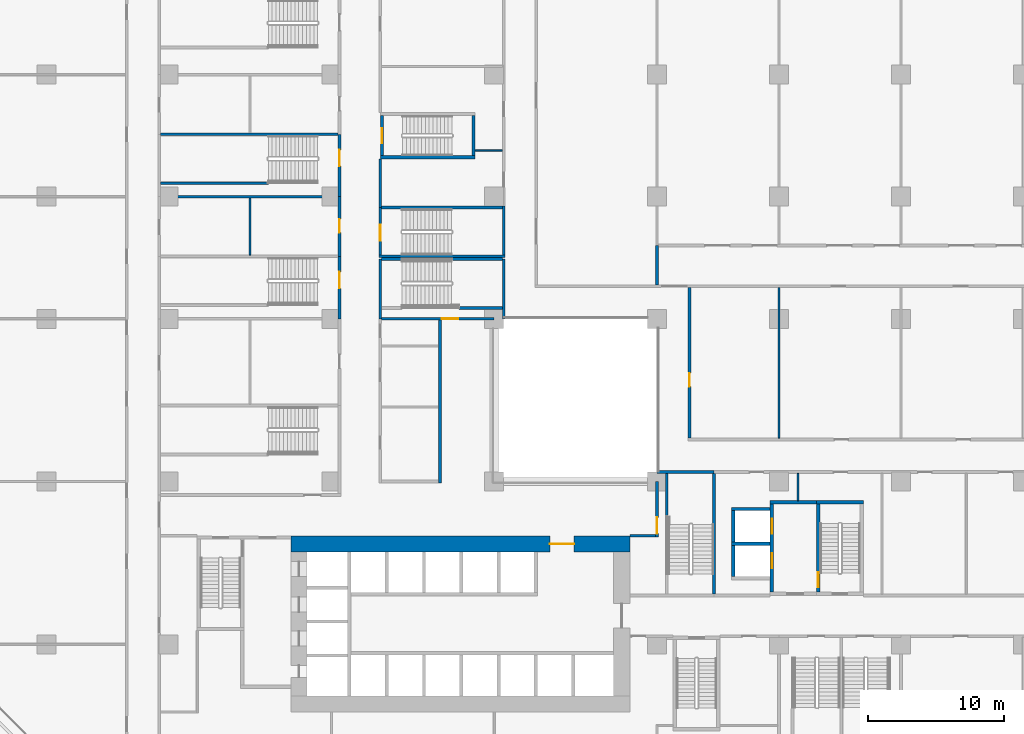
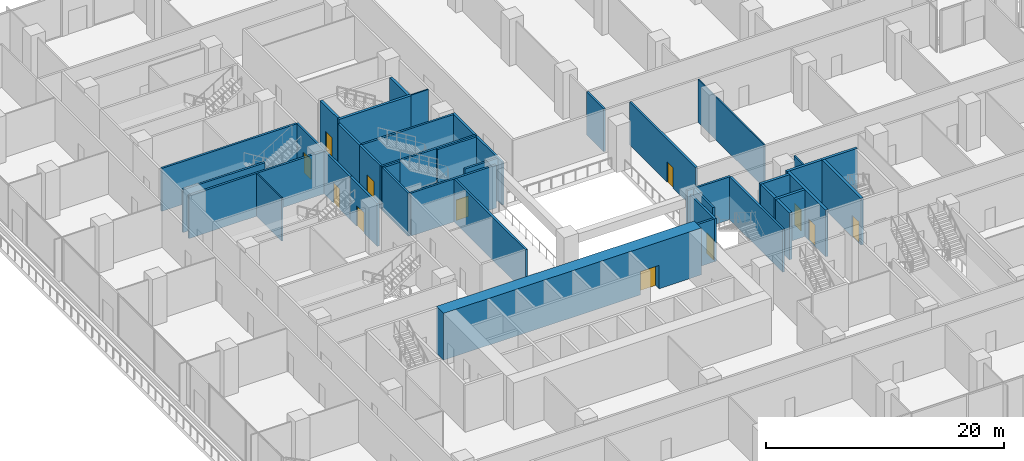
# One storey, part 18 of 31: 41 walls, 12 doors, 12 openings.
"""IFC4 building model written with IfcOpenShell, lengths in metres."""

from ifc_helpers import new_model, si_unit, direction, frame, frame_2d, origin, place, context, subcontext, project, spatial, rectangle, extrude, material, layer, layer_set, type_object, element, fill, save


model = new_model("IFC4")

# Units and contexts
model_context = context("Model", 3, precision=1e-05, world=origin(), true_north=direction((0.0, 1.0)))
body_context = subcontext(model_context, "Body", "Model", "MODEL_VIEW")
ifc_project = project(units=[si_unit("LENGTHUNIT", "METRE"), si_unit("AREAUNIT", "SQUARE_METRE"), si_unit("VOLUMEUNIT", "CUBIC_METRE"), si_unit("PLANEANGLEUNIT", "RADIAN"), si_unit("MASSUNIT", "GRAM", prefix="KILO")], contexts=[model_context])

# Site, building, storey
site_placement = place(None, origin())
site = spatial("IfcSite", under=ifc_project, at=site_placement, CompositionType="ELEMENT")
building_placement = place(site_placement, origin())
building = spatial("IfcBuilding", under=site, at=building_placement, Name="Chenar Terraces", CompositionType="ELEMENT")
storey_placement = place(building_placement, frame((0.0, 0.0, 7.199951171875)))
storey = spatial("IfcBuildingStorey", under=building, at=storey_placement, Name="L01", CompositionType="ELEMENT", Elevation=7.199951171875)

# Walls
ifc_material_1 = material(Name="Gypsum board on steel studs with mineral wool", Category="steel")
ifc_layer_1 = layer(ifc_material_1, 0.125)
ifc_layer_set_1 = layer_set([ifc_layer_1], Name="Gypsum board on steel studs with mineral wool")
wall_type_1 = type_object("IfcWallType", Name="Acoustic partition 125", PredefinedType="PARTITIONING", material=ifc_layer_set_1)
wall_1_placement = place(storey_placement, frame((6.0, 40.699951171875, 0.0), z_axis=(0.0, 0.0, 1.0), x_axis=(0.0, 1.0, 0.0)))
element("IfcWall", 1, at=wall_1_placement, inside=storey, type_object=wall_type_1, Name="Partition L01-037", PredefinedType="PARTITIONING", context=body_context, shape_type="SweptSolid", body=[
    extrude(rectangle(XDim=4.199951171875, YDim=0.125, at=frame_2d((2.10009765625, 0.0))), origin(), (0.0, 0.0, 1.0), 4.400146484375),
])
wall_2_placement = place(storey_placement, frame((22.60009765625, 48.39990234375, 0.0), z_axis=(0.0, 0.0, 1.0), x_axis=(1.0, 0.0, 0.0)))
element("IfcWall", 2, at=wall_2_placement, inside=storey, type_object=wall_type_1, Name="Partition L01-066", PredefinedType="PARTITIONING", context=body_context, shape_type="SweptSolid", body=[
    extrude(rectangle(XDim=2.0, YDim=0.125, at=frame_2d((1.0, 0.0))), origin(), (0.0, 0.0, 1.0), 4.400146484375),
])
wall_3_placement = place(storey_placement, frame((45.0, 27.199951171875, 0.0), z_axis=(0.0, 0.0, 1.0), x_axis=(0.0, 1.0, 0.0)))
element("IfcWall", 3, at=wall_3_placement, inside=storey, type_object=wall_type_1, Name="Partition L01-098", PredefinedType="PARTITIONING", context=body_context, shape_type="SweptSolid", body=[
    extrude(rectangle(XDim=11.10009765625, YDim=0.125, at=frame_2d((5.550048828125, 0.0))), origin(), (0.0, 0.0, 1.0), 4.400146484375),
])
wall_4_placement = place(storey_placement, frame((46.39990234375, 22.60009765625, 0.0), z_axis=(0.0, 0.0, 1.0), x_axis=(0.0, 1.0, 0.0)))
element("IfcWall", 4, at=wall_4_placement, inside=storey, type_object=wall_type_1, Name="Partition L01-100", PredefinedType="PARTITIONING", context=body_context, shape_type="SweptSolid", body=[
    extrude(rectangle(XDim=2.0, YDim=0.125, at=frame_2d((1.0, 0.0))), origin(), (0.0, 0.0, 1.0), 4.400146484375),
])

# Wall, opening, door
ifc_material_2 = material(Name="Concrete C70/85", Category="concrete")
ifc_layer_2 = layer(ifc_material_2, 1.199951171875)
ifc_layer_set_2 = layer_set([ifc_layer_2], Name="Concrete C70/85")
wall_type_2 = type_object("IfcWallType", Name="Core wall 1200 Concrete C70/85", PredefinedType="SHEAR", material=ifc_layer_set_2)
wall_5_placement = place(storey_placement, frame((9.0, 19.39990234375, 0.0), z_axis=(0.0, 0.0, 1.0), x_axis=(1.0, 0.0, 0.0)))
wall_5 = element("IfcWall", 5, at=wall_5_placement, inside=storey, type_object=wall_type_2, Name="Core wall N L01", PredefinedType="SHEAR", context=body_context, shape_type="SweptSolid", body=[
    extrude(rectangle(XDim=25.0, YDim=1.199951171875, at=frame_2d((12.5, 0.0))), origin(), (0.0, 0.0, 1.0), 4.800048828125),
])
opening_1_placement = place(wall_5_placement, frame((19.10009765625, 0.0, 0.0)))
opening_1 = element("IfcOpeningElement", 6, at=opening_1_placement, cuts=wall_5, Name="Opening DL01-C2", PredefinedType="OPENING", context=body_context, shape_type="SweptSolid", body=[
    extrude(rectangle(XDim=1.800048828125, YDim=2.39990234375, at=frame_2d((0.89990234375, 1.199951171875))), frame((0.0, 0.60986328125, 0.0), z_axis=(0.0, -1.0, 0.0), x_axis=(1.0, 0.0, 0.0)), (0.0, 0.0, 1.0), 1.219970703125),
])
ifc_material_3 = material(Name="Steel-framed fire-resisting door leaf", Category="steel")
door_type_1 = type_object("IfcDoorType", Name="Core entrance double fire door FD60 1800 x 2400", OperationType="DOUBLE_DOOR_SINGLE_SWING", PredefinedType="DOOR", material=ifc_material_3)
door_1_placement = place(opening_1_placement, frame((1.800048828125, 0.0, 0.0), z_axis=(0.0, 0.0, 1.0), x_axis=(-1.0, 0.0, 0.0)))
door_1 = element("IfcDoor", 7, at=door_1_placement, inside=storey, type_object=door_type_1, Name="Core door DL01-C2", OperationType="DOUBLE_DOOR_SINGLE_SWING", OverallHeight=2.39990234375, OverallWidth=1.800048828125, PredefinedType="DOOR", context=body_context, shape_type="SweptSolid", body=[
    extrude(rectangle(XDim=1.800048828125, YDim=2.39990234375, at=frame_2d((0.89990234375, 1.199951171875))), frame((0.0, 0.02490234375, 0.0), z_axis=(0.0, -1.0, 0.0), x_axis=(1.0, 0.0, 0.0)), (0.0, 0.0, 1.0), 0.050048828125),
])
fill(opening_1, door_1)

# Wall
ifc_material_4 = material(Name="Concrete C70/85", Category="concrete")
ifc_layer_3 = layer(ifc_material_4, 0.25)
ifc_layer_set_3 = layer_set([ifc_layer_3], Name="Concrete C70/85")
wall_type_3 = type_object("IfcWallType", Name="Core wall 250 Concrete C70/85", PredefinedType="SHEAR", material=ifc_layer_set_3)
wall_6_placement = place(storey_placement, frame((47.77490234375, 22.47509765625, 0.0), z_axis=(0.0, 0.0, 1.0), x_axis=(1.0, 0.0, 0.0)))
element("IfcWall", 8, at=wall_6_placement, inside=storey, type_object=wall_type_3, Name="Core wall ST3_N L01", PredefinedType="SHEAR", context=body_context, shape_type="SweptSolid", body=[
    extrude(rectangle(XDim=3.4501953125, YDim=0.25, at=frame_2d((1.72509765625, 0.0))), origin(), (0.0, 0.0, 1.0), 4.800048828125),
])

# Wall, opening, door
wall_7_placement = place(storey_placement, frame((47.89990234375, 15.85009765625, 0.0), z_axis=(0.0, 0.0, 1.0), x_axis=(0.0, 1.0, 0.0)))
wall_7 = element("IfcWall", 9, at=wall_7_placement, inside=storey, type_object=wall_type_3, Name="Core wall ST3_W L01", PredefinedType="SHEAR", context=body_context, shape_type="SweptSolid", body=[
    extrude(rectangle(XDim=6.5, YDim=0.25, at=frame_2d((3.25, 0.0))), origin(), (0.0, 0.0, 1.0), 4.800048828125),
])
opening_2_placement = place(wall_7_placement, frame((0.35009765625, 0.0, 0.0)))
opening_2 = element("IfcOpeningElement", 10, at=opening_2_placement, cuts=wall_7, Name="Opening DL01-C11", PredefinedType="OPENING", context=body_context, shape_type="SweptSolid", body=[
    extrude(rectangle(XDim=1.10009765625, YDim=2.199951171875, at=frame_2d((0.550048828125, 1.10009765625))), frame((0.0, 0.135009765625, 0.0), z_axis=(0.0, -1.0, 0.0), x_axis=(1.0, 0.0, 0.0)), (0.0, 0.0, 1.0), 0.27001953125),
])
ifc_material_5 = material(Name="Steel-framed fire-resisting door leaf", Category="steel")
door_type_2 = type_object("IfcDoorType", Name="Stair fire door FD60 1100 x 2200", OperationType="SINGLE_SWING_LEFT", PredefinedType="DOOR", material=ifc_material_5)
door_2_placement = place(opening_2_placement, frame((1.10009765625, 0.0, 0.0), z_axis=(0.0, 0.0, 1.0), x_axis=(-1.0, 0.0, 0.0)))
door_2 = element("IfcDoor", 11, at=door_2_placement, inside=storey, type_object=door_type_2, Name="Stair door DL01-C11", OperationType="SINGLE_SWING_RIGHT", OverallHeight=2.199951171875, OverallWidth=1.10009765625, PredefinedType="DOOR", context=body_context, shape_type="SweptSolid", body=[
    extrude(rectangle(XDim=1.10009765625, YDim=2.199951171875, at=frame_2d((0.550048828125, 1.10009765625))), frame((0.0, 0.02490234375, 0.0), z_axis=(0.0, -1.0, 0.0), x_axis=(1.0, 0.0, 0.0)), (0.0, 0.0, 1.0), 0.050048828125),
])
fill(opening_2, door_2)

# Wall
wall_8_placement = place(storey_placement, frame((15.60009765625, 47.89990234375, 0.0), z_axis=(0.0, 0.0, 1.0), x_axis=(1.0, 0.0, 0.0)))
element("IfcWall", 12, at=wall_8_placement, inside=storey, type_object=wall_type_3, Name="Core wall ST4_S L01", PredefinedType="SHEAR", context=body_context, shape_type="SweptSolid", body=[
    extrude(rectangle(XDim=7.0, YDim=0.25, at=frame_2d((3.5, 0.0))), origin(), (0.0, 0.0, 1.0), 4.800048828125),
])

# Wall, opening, door
wall_9_placement = place(storey_placement, frame((15.72509765625, 48.02490234375, 0.0), z_axis=(0.0, 0.0, 1.0), x_axis=(0.0, 1.0, 0.0)))
wall_9 = element("IfcWall", 13, at=wall_9_placement, inside=storey, type_object=wall_type_3, Name="Core wall ST4_W L01", PredefinedType="SHEAR", context=body_context, shape_type="SweptSolid", body=[
    extrude(rectangle(XDim=2.9501953125, YDim=0.25, at=frame_2d((1.47509765625, 0.0))), origin(), (0.0, 0.0, 1.0), 4.800048828125),
])
opening_3_placement = place(wall_9_placement, frame((0.925048828125, 0.0, 0.0)))
opening_3 = element("IfcOpeningElement", 14, at=opening_3_placement, cuts=wall_9, Name="Opening DL01-C9", PredefinedType="OPENING", context=body_context, shape_type="SweptSolid", body=[
    extrude(rectangle(XDim=1.10009765625, YDim=2.199951171875, at=frame_2d((0.550048828125, 1.10009765625))), frame((0.0, 0.135009765625, 0.0), z_axis=(0.0, -1.0, 0.0), x_axis=(1.0, 0.0, 0.0)), (0.0, 0.0, 1.0), 0.27001953125),
])
door_3_placement = place(opening_3_placement, frame((1.10009765625, 0.0, 0.0), z_axis=(0.0, 0.0, 1.0), x_axis=(-1.0, 0.0, 0.0)))
door_3 = element("IfcDoor", 15, at=door_3_placement, inside=storey, type_object=door_type_2, Name="Stair door DL01-C9", OperationType="SINGLE_SWING_RIGHT", OverallHeight=2.199951171875, OverallWidth=1.10009765625, PredefinedType="DOOR", context=body_context, shape_type="SweptSolid", body=[
    extrude(rectangle(XDim=1.10009765625, YDim=2.199951171875, at=frame_2d((0.550048828125, 1.10009765625))), frame((0.0, 0.02490234375, 0.0), z_axis=(0.0, -1.0, 0.0), x_axis=(1.0, 0.0, 0.0)), (0.0, 0.0, 1.0), 0.050048828125),
])
fill(opening_3, door_3)

# Walls
wall_10_placement = place(storey_placement, frame((22.47509765625, 48.02490234375, 0.0), z_axis=(0.0, 0.0, 1.0), x_axis=(0.0, 1.0, 0.0)))
element("IfcWall", 16, at=wall_10_placement, inside=storey, type_object=wall_type_3, Name="Core wall ST4_E L01", PredefinedType="SHEAR", context=body_context, shape_type="SweptSolid", body=[
    extrude(rectangle(XDim=2.9501953125, YDim=0.25, at=frame_2d((1.47509765625, 0.0))), origin(), (0.0, 0.0, 1.0), 4.800048828125),
])
wall_11_placement = place(storey_placement, frame((44.35009765625, 22.47509765625, 0.0), z_axis=(0.0, 0.0, 1.0), x_axis=(1.0, 0.0, 0.0)))
element("IfcWall", 17, at=wall_11_placement, inside=storey, type_object=wall_type_3, Name="Core wall F3_LN L01", PredefinedType="SHEAR", context=body_context, shape_type="SweptSolid", body=[
    extrude(rectangle(XDim=3.4248046875, YDim=0.25, at=frame_2d((1.71240234375, 0.0))), origin(), (0.0, 0.0, 1.0), 4.800048828125),
])

# Wall, openings, doors
wall_12_placement = place(storey_placement, frame((44.47509765625, 15.85009765625, 0.0), z_axis=(0.0, 0.0, 1.0), x_axis=(0.0, 1.0, 0.0)))
wall_12 = element("IfcWall", 18, at=wall_12_placement, inside=storey, type_object=wall_type_3, Name="Core wall F3_LW L01", PredefinedType="SHEAR", context=body_context, shape_type="SweptSolid", body=[
    extrude(rectangle(XDim=6.5, YDim=0.25, at=frame_2d((3.25, 0.0))), origin(), (0.0, 0.0, 1.0), 4.800048828125),
])
opening_4_placement = place(wall_12_placement, frame((1.75, 0.0, 0.0)))
opening_4 = element("IfcOpeningElement", 19, at=opening_4_placement, cuts=wall_12, Name="Opening DL01-LD4", PredefinedType="OPENING", context=body_context, shape_type="SweptSolid", body=[
    extrude(rectangle(XDim=1.10009765625, YDim=2.199951171875, at=frame_2d((0.550048828125, 1.10009765625))), frame((0.0, 0.135009765625, 0.0), z_axis=(0.0, -1.0, 0.0), x_axis=(1.0, 0.0, 0.0)), (0.0, 0.0, 1.0), 0.27001953125),
])
opening_5_placement = place(wall_12_placement, frame((4.300048828125, 0.0, 0.0)))
opening_5 = element("IfcOpeningElement", 20, at=opening_5_placement, cuts=wall_12, Name="Opening DL01-LD5", PredefinedType="OPENING", context=body_context, shape_type="SweptSolid", body=[
    extrude(rectangle(XDim=1.10009765625, YDim=2.199951171875, at=frame_2d((0.550048828125, 1.10009765625))), frame((0.0, 0.135009765625, 0.0), z_axis=(0.0, -1.0, 0.0), x_axis=(1.0, 0.0, 0.0)), (0.0, 0.0, 1.0), 0.27001953125),
])
ifc_material_6 = material(Name="Stainless steel", Category="steel")
door_type_3 = type_object("IfcDoorType", Name="Lift landing door 1100 x 2200 sliding", OperationType="DOUBLE_DOOR_SLIDING", PredefinedType="DOOR", material=ifc_material_6)
door_4_placement = place(opening_4_placement, origin())
door_4 = element("IfcDoor", 21, at=door_4_placement, inside=storey, type_object=door_type_3, Name="Landing door F3", OperationType="DOUBLE_DOOR_SLIDING", OverallHeight=2.199951171875, OverallWidth=1.10009765625, PredefinedType="DOOR", context=body_context, shape_type="SweptSolid", body=[
    extrude(rectangle(XDim=1.10009765625, YDim=2.199951171875, at=frame_2d((0.550048828125, 1.10009765625))), frame((0.0, 0.02490234375, 0.0), z_axis=(0.0, -1.0, 0.0), x_axis=(1.0, 0.0, 0.0)), (0.0, 0.0, 1.0), 0.050048828125),
])
fill(opening_4, door_4)
door_5_placement = place(opening_5_placement, origin())
door_5 = element("IfcDoor", 22, at=door_5_placement, inside=storey, type_object=door_type_3, Name="Landing door F4", OperationType="DOUBLE_DOOR_SLIDING", OverallHeight=2.199951171875, OverallWidth=1.10009765625, PredefinedType="DOOR", context=body_context, shape_type="SweptSolid", body=[
    extrude(rectangle(XDim=1.10009765625, YDim=2.199951171875, at=frame_2d((0.550048828125, 1.10009765625))), frame((0.0, 0.02490234375, 0.0), z_axis=(0.0, -1.0, 0.0), x_axis=(1.0, 0.0, 0.0)), (0.0, 0.0, 1.0), 0.050048828125),
])
fill(opening_5, door_5)

# Walls
for number, where, z_axis, x_axis, name in (
    (23, (41.5, 19.425048828125, 0.0), (0.0, 0.0, 1.0), (1.0, 0.0, 0.0), "Core wall F3_SM L01"),
    (24, (41.5, 21.97509765625, 0.0), (0.0, 0.0, 1.0), (1.0, 0.0, 0.0), "Core wall F4_SN L01"),
):
    element("IfcWall", number, at=place(storey_placement, frame(where, z_axis=z_axis, x_axis=x_axis)), inside=storey, type_object=wall_type_3, Name=name, PredefinedType="SHEAR", context=body_context, shape_type="SweptSolid", body=[
        extrude(rectangle(XDim=2.85009765625, YDim=0.25, at=frame_2d((1.425048828125, 0.0))), origin(), (0.0, 0.0, 1.0), 4.800048828125),
    ])
for number, where, z_axis, x_axis, name in (
    (25, (41.625, 17.0, 0.0), (0.0, 0.0, 1.0), (0.0, 1.0, 0.0), "Core wall F3_SW L01"),
    (26, (41.625, 19.550048828125, 0.0), (0.0, 0.0, 1.0), (0.0, 1.0, 0.0), "Core wall F4_SW L01"),
):
    element("IfcWall", number, at=place(storey_placement, frame(where, z_axis=z_axis, x_axis=x_axis)), inside=storey, type_object=wall_type_3, Name=name, PredefinedType="SHEAR", context=body_context, shape_type="SweptSolid", body=[
        extrude(rectangle(XDim=2.300048828125, YDim=0.25, at=frame_2d((1.14990234375, 0.0))), origin(), (0.0, 0.0, 1.0), 4.800048828125),
    ])

# Wall, opening, door
ifc_material_7 = material(Name="Gypsum board on steel studs with fire boards", Category="steel")
ifc_layer_4 = layer(ifc_material_7, 0.199951171875)
ifc_layer_set_4 = layer_set([ifc_layer_4], Name="Gypsum board on steel studs with fire boards")
wall_type_4 = type_object("IfcWallType", Name="Corridor wall 200", PredefinedType="PARTITIONING", material=ifc_layer_set_4)
wall_13_placement = place(storey_placement, frame((12.60009765625, 40.60009765625, 0.0), z_axis=(0.0, 0.0, 1.0), x_axis=(0.0, 1.0, 0.0)))
wall_13 = element("IfcWall", 27, at=wall_13_placement, inside=storey, type_object=wall_type_4, Name="Partition L01-046", PredefinedType="PARTITIONING", context=body_context, shape_type="SweptSolid", body=[
    extrude(rectangle(XDim=4.39990234375, YDim=0.199951171875, at=frame_2d((2.199951171875, 0.0))), origin(), (0.0, 0.0, 1.0), 4.400146484375),
])
opening_6_placement = place(wall_13_placement, frame((1.75, 0.0, 0.0)))
opening_6 = element("IfcOpeningElement", 28, at=opening_6_placement, cuts=wall_13, Name="Opening DL01-13", PredefinedType="OPENING", context=body_context, shape_type="SweptSolid", body=[
    extrude(rectangle(XDim=1.0, YDim=2.10009765625, at=frame_2d((0.5, 1.050048828125))), frame((0.0, 0.10986328125, 0.0), z_axis=(0.0, -1.0, 0.0), x_axis=(1.0, 0.0, 0.0)), (0.0, 0.0, 1.0), 0.219970703125),
])
ifc_material_8 = material(Name="Steel-framed fire-resisting door leaf", Category="steel")
door_type_4 = type_object("IfcDoorType", Name="Fire door FD60 1000 x 2100", OperationType="SINGLE_SWING_LEFT", PredefinedType="DOOR", material=ifc_material_8)
door_6_placement = place(opening_6_placement, origin())
door_6 = element("IfcDoor", 29, at=door_6_placement, inside=storey, type_object=door_type_4, Name="Door DL01-13", OperationType="SINGLE_SWING_RIGHT", OverallHeight=2.10009765625, OverallWidth=1.0, PredefinedType="DOOR", context=body_context, shape_type="SweptSolid", body=[
    extrude(rectangle(XDim=1.0, YDim=2.10009765625, at=frame_2d((0.5, 1.050048828125))), frame((0.0, 0.02490234375, 0.0), z_axis=(0.0, -1.0, 0.0), x_axis=(1.0, 0.0, 0.0)), (0.0, 0.0, 1.0), 0.050048828125),
])
fill(opening_6, door_6)

# Walls
wall_14_placement = place(storey_placement, frame((15.60009765625, 44.199951171875, 0.0), z_axis=(0.0, 0.0, 1.0), x_axis=(0.0, 1.0, 0.0)))
element("IfcWall", 30, at=wall_14_placement, inside=storey, type_object=wall_type_4, Name="Partition L01-055", PredefinedType="PARTITIONING", context=body_context, shape_type="SweptSolid", body=[
    extrude(rectangle(XDim=3.574951171875, YDim=0.199951171875, at=frame_2d((1.78759765625, 0.0))), origin(), (0.0, 0.0, 1.0), 4.400146484375),
])
wall_15_placement = place(storey_placement, frame((20.0, 23.89990234375, 0.0), z_axis=(0.0, 0.0, 1.0), x_axis=(0.0, 1.0, 0.0)))
element("IfcWall", 31, at=wall_15_placement, inside=storey, type_object=wall_type_4, Name="Partition L01-065", PredefinedType="PARTITIONING", context=body_context, shape_type="SweptSolid", body=[
    extrude(rectangle(XDim=12.0, YDim=0.199951171875, at=frame_2d((6.0, 0.0))), origin(), (0.0, 0.0, 1.0), 4.400146484375),
])
wall_16_placement = place(storey_placement, frame((36.0, 38.5, 0.0), z_axis=(0.0, 0.0, 1.0), x_axis=(0.0, 1.0, 0.0)))
element("IfcWall", 32, at=wall_16_placement, inside=storey, type_object=wall_type_4, Name="Partition L01-083", PredefinedType="PARTITIONING", context=body_context, shape_type="SweptSolid", body=[
    extrude(rectangle(XDim=2.89990234375, YDim=0.199951171875, at=frame_2d((1.449951171875, 0.0))), origin(), (0.0, 0.0, 1.0), 4.400146484375),
])

# Wall, opening, door
wall_17_placement = place(storey_placement, frame((38.39990234375, 27.199951171875, 0.0), z_axis=(0.0, 0.0, 1.0), x_axis=(0.0, 1.0, 0.0)))
wall_17 = element("IfcWall", 33, at=wall_17_placement, inside=storey, type_object=wall_type_4, Name="Partition L01-088", PredefinedType="PARTITIONING", context=body_context, shape_type="SweptSolid", body=[
    extrude(rectangle(XDim=11.10009765625, YDim=0.199951171875, at=frame_2d((5.550048828125, 0.0))), origin(), (0.0, 0.0, 1.0), 4.400146484375),
])
opening_7_placement = place(wall_17_placement, frame((3.800048828125, 0.0, 0.0)))
opening_7 = element("IfcOpeningElement", 34, at=opening_7_placement, cuts=wall_17, Name="Opening DL01-29", PredefinedType="OPENING", context=body_context, shape_type="SweptSolid", body=[
    extrude(rectangle(XDim=1.0, YDim=2.10009765625, at=frame_2d((0.5, 1.050048828125))), frame((0.0, 0.10986328125, 0.0), z_axis=(0.0, -1.0, 0.0), x_axis=(1.0, 0.0, 0.0)), (0.0, 0.0, 1.0), 0.219970703125),
])
door_7_placement = place(opening_7_placement, frame((1.0, 0.0, 0.0), z_axis=(0.0, 0.0, 1.0), x_axis=(-1.0, 0.0, 0.0)))
door_7 = element("IfcDoor", 35, at=door_7_placement, inside=storey, type_object=door_type_4, Name="Door DL01-29", OperationType="SINGLE_SWING_LEFT", OverallHeight=2.10009765625, OverallWidth=1.0, PredefinedType="DOOR", context=body_context, shape_type="SweptSolid", body=[
    extrude(rectangle(XDim=1.0, YDim=2.10009765625, at=frame_2d((0.5, 1.050048828125))), frame((0.0, 0.02490234375, 0.0), z_axis=(0.0, -1.0, 0.0), x_axis=(1.0, 0.0, 0.0)), (0.0, 0.0, 1.0), 0.050048828125),
])
fill(opening_7, door_7)

# Walls
ifc_material_9 = material(Name="Reinforced concrete C40/50", Category="concrete")
ifc_layer_5 = layer(ifc_material_9, 0.199951171875)
ifc_layer_set_5 = layer_set([ifc_layer_5], Name="Reinforced concrete C40/50")
wall_type_5 = type_object("IfcWallType", Name="Stair enclosure wall 200 concrete", PredefinedType="SOLIDWALL", material=ifc_layer_set_5)
for number, where, z_axis, x_axis, name in (
    (36, (-0.60009765625, 45.0, 0.0), (0.0, 0.0, 1.0), (1.0, 0.0, 0.0), "Stair enclosure wall L01-028"),
    (37, (-0.60009765625, 49.60009765625, 0.0), (0.0, 0.0, 1.0), (1.0, 0.0, 0.0), "Stair enclosure wall L01-029"),
):
    element("IfcWall", number, at=place(storey_placement, frame(where, z_axis=z_axis, x_axis=x_axis)), inside=storey, type_object=wall_type_5, Name=name, PredefinedType="SOLIDWALL", context=body_context, shape_type="SweptSolid", body=[
        extrude(rectangle(XDim=13.10009765625, YDim=0.199951171875, at=frame_2d((6.550048828125, 0.0))), origin(), (0.0, 0.0, 1.0), 4.400146484375),
    ])

# Wall, opening, door
wall_18_placement = place(storey_placement, frame((12.60009765625, 36.0, 0.0), z_axis=(0.0, 0.0, 1.0), x_axis=(0.0, 1.0, 0.0)))
wall_18 = element("IfcWall", 38, at=wall_18_placement, inside=storey, type_object=wall_type_5, Name="Stair enclosure wall L01-045", PredefinedType="SOLIDWALL", context=body_context, shape_type="SweptSolid", body=[
    extrude(rectangle(XDim=4.60009765625, YDim=0.199951171875, at=frame_2d((2.300048828125, 0.0))), origin(), (0.0, 0.0, 1.0), 4.400146484375),
])
opening_8_placement = place(wall_18_placement, frame((2.25, 0.0, 0.0)))
opening_8 = element("IfcOpeningElement", 39, at=opening_8_placement, cuts=wall_18, Name="Opening DL01-88", PredefinedType="OPENING", context=body_context, shape_type="SweptSolid", body=[
    extrude(rectangle(XDim=1.199951171875, YDim=2.10009765625, at=frame_2d((0.60009765625, 1.050048828125))), frame((0.0, 0.10986328125, 0.0), z_axis=(0.0, -1.0, 0.0), x_axis=(1.0, 0.0, 0.0)), (0.0, 0.0, 1.0), 0.219970703125),
])
ifc_material_10 = material(Name="Steel-framed fire-resisting door leaf", Category="steel")
door_type_5 = type_object("IfcDoorType", Name="Fire door FD120 1200 x 2100", OperationType="SINGLE_SWING_LEFT", PredefinedType="DOOR", material=ifc_material_10)
door_8_placement = place(opening_8_placement, origin())
door_8 = element("IfcDoor", 40, at=door_8_placement, inside=storey, type_object=door_type_5, Name="Door DL01-88", OperationType="SINGLE_SWING_RIGHT", OverallHeight=2.10009765625, OverallWidth=1.199951171875, PredefinedType="DOOR", context=body_context, shape_type="SweptSolid", body=[
    extrude(rectangle(XDim=1.199951171875, YDim=2.10009765625, at=frame_2d((0.60009765625, 1.050048828125))), frame((0.0, 0.02490234375, 0.0), z_axis=(0.0, -1.0, 0.0), x_axis=(1.0, 0.0, 0.0)), (0.0, 0.0, 1.0), 0.050048828125),
])
fill(opening_8, door_8)

wall_19_placement = place(storey_placement, frame((12.60009765625, 45.0, 0.0), z_axis=(0.0, 0.0, 1.0), x_axis=(0.0, 1.0, 0.0)))
wall_19 = element("IfcWall", 41, at=wall_19_placement, inside=storey, type_object=wall_type_5, Name="Stair enclosure wall L01-047", PredefinedType="SOLIDWALL", context=body_context, shape_type="SweptSolid", body=[
    extrude(rectangle(XDim=4.60009765625, YDim=0.199951171875, at=frame_2d((2.300048828125, 0.0))), origin(), (0.0, 0.0, 1.0), 4.400146484375),
])
opening_9_placement = place(wall_19_placement, frame((2.25, 0.0, 0.0)))
opening_9 = element("IfcOpeningElement", 42, at=opening_9_placement, cuts=wall_19, Name="Opening DL01-83", PredefinedType="OPENING", context=body_context, shape_type="SweptSolid", body=[
    extrude(rectangle(XDim=1.199951171875, YDim=2.10009765625, at=frame_2d((0.60009765625, 1.050048828125))), frame((0.0, 0.10986328125, 0.0), z_axis=(0.0, -1.0, 0.0), x_axis=(1.0, 0.0, 0.0)), (0.0, 0.0, 1.0), 0.219970703125),
])
door_9_placement = place(opening_9_placement, origin())
door_9 = element("IfcDoor", 43, at=door_9_placement, inside=storey, type_object=door_type_5, Name="Door DL01-83", OperationType="SINGLE_SWING_RIGHT", OverallHeight=2.10009765625, OverallWidth=1.199951171875, PredefinedType="DOOR", context=body_context, shape_type="SweptSolid", body=[
    extrude(rectangle(XDim=1.199951171875, YDim=2.10009765625, at=frame_2d((0.60009765625, 1.050048828125))), frame((0.0, 0.02490234375, 0.0), z_axis=(0.0, -1.0, 0.0), x_axis=(1.0, 0.0, 0.0)), (0.0, 0.0, 1.0), 0.050048828125),
])
fill(opening_9, door_9)

# Walls
wall_20_placement = place(storey_placement, frame((15.5, 40.60009765625, 0.0), z_axis=(0.0, 0.0, 1.0), x_axis=(1.0, 0.0, 0.0)))
element("IfcWall", 44, at=wall_20_placement, inside=storey, type_object=wall_type_5, Name="Stair enclosure wall L01-051", PredefinedType="SOLIDWALL", context=body_context, shape_type="SweptSolid", body=[
    extrude(rectangle(XDim=9.300048828125, YDim=0.199951171875, at=frame_2d((4.64990234375, 0.0))), origin(), (0.0, 0.0, 1.0), 4.400146484375),
])
wall_21_placement = place(storey_placement, frame((15.60009765625, 36.0, 0.0), z_axis=(0.0, 0.0, 1.0), x_axis=(0.0, 1.0, 0.0)))
element("IfcWall", 45, at=wall_21_placement, inside=storey, type_object=wall_type_5, Name="Stair enclosure wall L01-053", PredefinedType="SOLIDWALL", context=body_context, shape_type="SweptSolid", body=[
    extrude(rectangle(XDim=4.39990234375, YDim=0.199951171875, at=frame_2d((2.199951171875, 0.0))), origin(), (0.0, 0.0, 1.0), 4.400146484375),
])

# Wall, opening, door
wall_22_placement = place(storey_placement, frame((15.60009765625, 40.699951171875, 0.0), z_axis=(0.0, 0.0, 1.0), x_axis=(0.0, 1.0, 0.0)))
wall_22 = element("IfcWall", 46, at=wall_22_placement, inside=storey, type_object=wall_type_5, Name="Stair enclosure wall L01-054", PredefinedType="SOLIDWALL", context=body_context, shape_type="SweptSolid", body=[
    extrude(rectangle(XDim=3.5, YDim=0.199951171875, at=frame_2d((1.75, 0.0))), origin(), (0.0, 0.0, 1.0), 4.400146484375),
])
opening_10_placement = place(wall_22_placement, frame((1.050048828125, 0.0, 0.0)))
opening_10 = element("IfcOpeningElement", 47, at=opening_10_placement, cuts=wall_22, Name="Opening DL01-87", PredefinedType="OPENING", context=body_context, shape_type="SweptSolid", body=[
    extrude(rectangle(XDim=1.199951171875, YDim=2.10009765625, at=frame_2d((0.60009765625, 1.050048828125))), frame((0.0, 0.10986328125, 0.0), z_axis=(0.0, -1.0, 0.0), x_axis=(1.0, 0.0, 0.0)), (0.0, 0.0, 1.0), 0.219970703125),
])
door_10_placement = place(opening_10_placement, frame((1.199951171875, 0.0, 0.0), z_axis=(0.0, 0.0, 1.0), x_axis=(-1.0, 0.0, 0.0)))
door_10 = element("IfcDoor", 48, at=door_10_placement, inside=storey, type_object=door_type_5, Name="Door DL01-87", OperationType="SINGLE_SWING_RIGHT", OverallHeight=2.10009765625, OverallWidth=1.199951171875, PredefinedType="DOOR", context=body_context, shape_type="SweptSolid", body=[
    extrude(rectangle(XDim=1.199951171875, YDim=2.10009765625, at=frame_2d((0.60009765625, 1.050048828125))), frame((0.0, 0.02490234375, 0.0), z_axis=(0.0, -1.0, 0.0), x_axis=(1.0, 0.0, 0.0)), (0.0, 0.0, 1.0), 0.050048828125),
])
fill(opening_10, door_10)

wall_23_placement = place(storey_placement, frame((15.699951171875, 36.0, 0.0), z_axis=(0.0, 0.0, 1.0), x_axis=(1.0, 0.0, 0.0)))
wall_23 = element("IfcWall", 49, at=wall_23_placement, inside=storey, type_object=wall_type_5, Name="Stair enclosure wall L01-060", PredefinedType="SOLIDWALL", context=body_context, shape_type="SweptSolid", body=[
    extrude(rectangle(XDim=8.300048828125, YDim=0.199951171875, at=frame_2d((4.14990234375, 0.0))), origin(), (0.0, 0.0, 1.0), 4.400146484375),
])
opening_11_placement = place(wall_23_placement, frame((4.449951171875, 0.0, 0.0)))
opening_11 = element("IfcOpeningElement", 50, at=opening_11_placement, cuts=wall_23, Name="Opening DL01-86", PredefinedType="OPENING", context=body_context, shape_type="SweptSolid", body=[
    extrude(rectangle(XDim=1.199951171875, YDim=2.10009765625, at=frame_2d((0.60009765625, 1.050048828125))), frame((0.0, 0.10986328125, 0.0), z_axis=(0.0, -1.0, 0.0), x_axis=(1.0, 0.0, 0.0)), (0.0, 0.0, 1.0), 0.219970703125),
])
door_11_placement = place(opening_11_placement, origin())
door_11 = element("IfcDoor", 51, at=door_11_placement, inside=storey, type_object=door_type_5, Name="Door DL01-86", OperationType="SINGLE_SWING_RIGHT", OverallHeight=2.10009765625, OverallWidth=1.199951171875, PredefinedType="DOOR", context=body_context, shape_type="SweptSolid", body=[
    extrude(rectangle(XDim=1.199951171875, YDim=2.10009765625, at=frame_2d((0.60009765625, 1.050048828125))), frame((0.0, 0.02490234375, 0.0), z_axis=(0.0, -1.0, 0.0), x_axis=(1.0, 0.0, 0.0)), (0.0, 0.0, 1.0), 0.050048828125),
])
fill(opening_11, door_11)

# Walls
wall_24_placement = place(storey_placement, frame((15.699951171875, 44.199951171875, 0.0), z_axis=(0.0, 0.0, 1.0), x_axis=(1.0, 0.0, 0.0)))
element("IfcWall", 52, at=wall_24_placement, inside=storey, type_object=wall_type_5, Name="Stair enclosure wall L01-061", PredefinedType="SOLIDWALL", context=body_context, shape_type="SweptSolid", body=[
    extrude(rectangle(XDim=8.900146484375, YDim=0.199951171875, at=frame_2d((4.4501953125, 0.0))), origin(), (0.0, 0.0, 1.0), 4.400146484375),
])
wall_25_placement = place(storey_placement, frame((24.699951171875, 36.0, 0.0), z_axis=(0.0, 0.0, 1.0), x_axis=(0.0, 1.0, 0.0)))
element("IfcWall", 53, at=wall_25_placement, inside=storey, type_object=wall_type_5, Name="Stair enclosure wall L01-070", PredefinedType="SOLIDWALL", context=body_context, shape_type="SweptSolid", body=[
    extrude(rectangle(XDim=4.39990234375, YDim=0.199951171875, at=frame_2d((2.199951171875, 0.0))), origin(), (0.0, 0.0, 1.0), 4.400146484375),
])
wall_26_placement = place(storey_placement, frame((24.699951171875, 40.699951171875, 0.0), z_axis=(0.0, 0.0, 1.0), x_axis=(0.0, 1.0, 0.0)))
element("IfcWall", 54, at=wall_26_placement, inside=storey, type_object=wall_type_5, Name="Stair enclosure wall L01-071", PredefinedType="SOLIDWALL", context=body_context, shape_type="SweptSolid", body=[
    extrude(rectangle(XDim=3.60009765625, YDim=0.199951171875, at=frame_2d((1.800048828125, 0.0))), origin(), (0.0, 0.0, 1.0), 4.400146484375),
])
wall_27_placement = place(storey_placement, frame((34.0, 20.0, 0.0), z_axis=(0.0, 0.0, 1.0), x_axis=(1.0, 0.0, 0.0)))
element("IfcWall", 55, at=wall_27_placement, inside=storey, type_object=wall_type_5, Name="Stair enclosure wall L01-078", PredefinedType="SOLIDWALL", context=body_context, shape_type="SweptSolid", body=[
    extrude(rectangle(XDim=1.89990234375, YDim=0.199951171875, at=frame_2d((0.949951171875, 0.0))), origin(), (0.0, 0.0, 1.0), 4.400146484375),
])

# Wall, opening, door
wall_28_placement = place(storey_placement, frame((36.0, 19.89990234375, 0.0), z_axis=(0.0, 0.0, 1.0), x_axis=(0.0, 1.0, 0.0)))
wall_28 = element("IfcWall", 56, at=wall_28_placement, inside=storey, type_object=wall_type_5, Name="Stair enclosure wall L01-081", PredefinedType="SOLIDWALL", context=body_context, shape_type="SweptSolid", body=[
    extrude(rectangle(XDim=4.10009765625, YDim=0.199951171875, at=frame_2d((2.050048828125, 0.0))), origin(), (0.0, 0.0, 1.0), 4.400146484375),
])
opening_12_placement = place(wall_28_placement, frame((0.25, 0.0, 0.0)))
opening_12 = element("IfcOpeningElement", 57, at=opening_12_placement, cuts=wall_28, Name="Opening DL01-80", PredefinedType="OPENING", context=body_context, shape_type="SweptSolid", body=[
    extrude(rectangle(XDim=1.199951171875, YDim=2.10009765625, at=frame_2d((0.60009765625, 1.050048828125))), frame((0.0, 0.10986328125, 0.0), z_axis=(0.0, -1.0, 0.0), x_axis=(1.0, 0.0, 0.0)), (0.0, 0.0, 1.0), 0.219970703125),
])
door_12_placement = place(opening_12_placement, frame((1.199951171875, 0.0, 0.0), z_axis=(0.0, 0.0, 1.0), x_axis=(-1.0, 0.0, 0.0)))
door_12 = element("IfcDoor", 58, at=door_12_placement, inside=storey, type_object=door_type_5, Name="Door DL01-80", OperationType="SINGLE_SWING_LEFT", OverallHeight=2.10009765625, OverallWidth=1.199951171875, PredefinedType="DOOR", context=body_context, shape_type="SweptSolid", body=[
    extrude(rectangle(XDim=1.199951171875, YDim=2.10009765625, at=frame_2d((0.60009765625, 1.050048828125))), frame((0.0, 0.02490234375, 0.0), z_axis=(0.0, -1.0, 0.0), x_axis=(1.0, 0.0, 0.0)), (0.0, 0.0, 1.0), 0.050048828125),
])
fill(opening_12, door_12)

# Walls
wall_29_placement = place(storey_placement, frame((36.0, 24.699951171875, 0.0), z_axis=(0.0, 0.0, 1.0), x_axis=(1.0, 0.0, 0.0)))
element("IfcWall", 59, at=wall_29_placement, inside=storey, type_object=wall_type_5, Name="Stair enclosure wall L01-082", PredefinedType="SOLIDWALL", context=body_context, shape_type="SweptSolid", body=[
    extrude(rectangle(XDim=4.199951171875, YDim=0.199951171875, at=frame_2d((2.10009765625, 0.0))), origin(), (0.0, 0.0, 1.0), 4.400146484375),
])
wall_30_placement = place(storey_placement, frame((40.199951171875, 15.699951171875, 0.0), z_axis=(0.0, 0.0, 1.0), x_axis=(0.0, 1.0, 0.0)))
element("IfcWall", 60, at=wall_30_placement, inside=storey, type_object=wall_type_5, Name="Stair enclosure wall L01-090", PredefinedType="SOLIDWALL", context=body_context, shape_type="SweptSolid", body=[
    extrude(rectangle(XDim=8.900146484375, YDim=0.199951171875, at=frame_2d((4.4501953125, 0.0))), origin(), (0.0, 0.0, 1.0), 4.400146484375),
])
wall_31_placement = place(storey_placement, frame((36.715087890625, 21.39990234375, 0.0), z_axis=(0.0, 0.0, 1.0), x_axis=(0.0, 1.0, 0.0)))
element("IfcWall", 61, at=wall_31_placement, inside=storey, type_object=wall_type_5, Name="Stair enclosure wall L01-PS1-002", PredefinedType="SOLIDWALL", context=body_context, shape_type="SweptSolid", body=[
    extrude(rectangle(XDim=3.2001953125, YDim=0.199951171875, at=frame_2d((1.60009765625, 0.0))), origin(), (0.0, 0.0, 1.0), 4.400146484375),
])
wall_32_placement = place(storey_placement, frame((-0.60009765625, 46.0, 0.0), z_axis=(0.0, 0.0, 1.0), x_axis=(1.0, 0.0, 0.0)))
element("IfcWall", 62, at=wall_32_placement, inside=storey, type_object=wall_type_5, Name="Stair enclosure wall L01-PS4-025", PredefinedType="SOLIDWALL", context=body_context, shape_type="SweptSolid", body=[
    extrude(rectangle(XDim=7.945068359375, YDim=0.199951171875, at=frame_2d((3.97265625, 0.0))), origin(), (0.0, 0.0, 1.0), 4.400146484375),
])
wall_33_placement = place(storey_placement, frame((21.39990234375, 36.800048828125, 0.0), z_axis=(0.0, 0.0, 1.0), x_axis=(1.0, 0.0, 0.0)))
element("IfcWall", 63, at=wall_33_placement, inside=storey, type_object=wall_type_5, Name="Stair enclosure wall L01-PS7-042", PredefinedType="SOLIDWALL", context=body_context, shape_type="SweptSolid", body=[
    extrude(rectangle(XDim=3.2001953125, YDim=0.199951171875, at=frame_2d((1.60009765625, 0.0))), origin(), (0.0, 0.0, 1.0), 4.400146484375),
])
wall_34_placement = place(storey_placement, frame((20.85498046875, 40.39990234375, 0.0), z_axis=(0.0, 0.0, 1.0), x_axis=(1.0, 0.0, 0.0)))
element("IfcWall", 64, at=wall_34_placement, inside=storey, type_object=wall_type_5, Name="Stair enclosure wall L01-PS7-043", PredefinedType="SOLIDWALL", context=body_context, shape_type="SweptSolid", body=[
    extrude(rectangle(XDim=3.7451171875, YDim=0.199951171875, at=frame_2d((1.87255859375, 0.0))), origin(), (0.0, 0.0, 1.0), 4.400146484375),
])
wall_35_placement = place(storey_placement, frame((15.699951171875, 40.39990234375, 0.0), z_axis=(0.0, 0.0, 1.0), x_axis=(1.0, 0.0, 0.0)))
element("IfcWall", 65, at=wall_35_placement, inside=storey, type_object=wall_type_5, Name="Stair enclosure wall L01-PS7-062", PredefinedType="SOLIDWALL", context=body_context, shape_type="SweptSolid", body=[
    extrude(rectangle(XDim=1.51513671875, YDim=0.199951171875, at=frame_2d((0.757568359375, 0.0))), origin(), (0.0, 0.0, 1.0), 4.400146484375),
])

save(model, "model.ifc")
